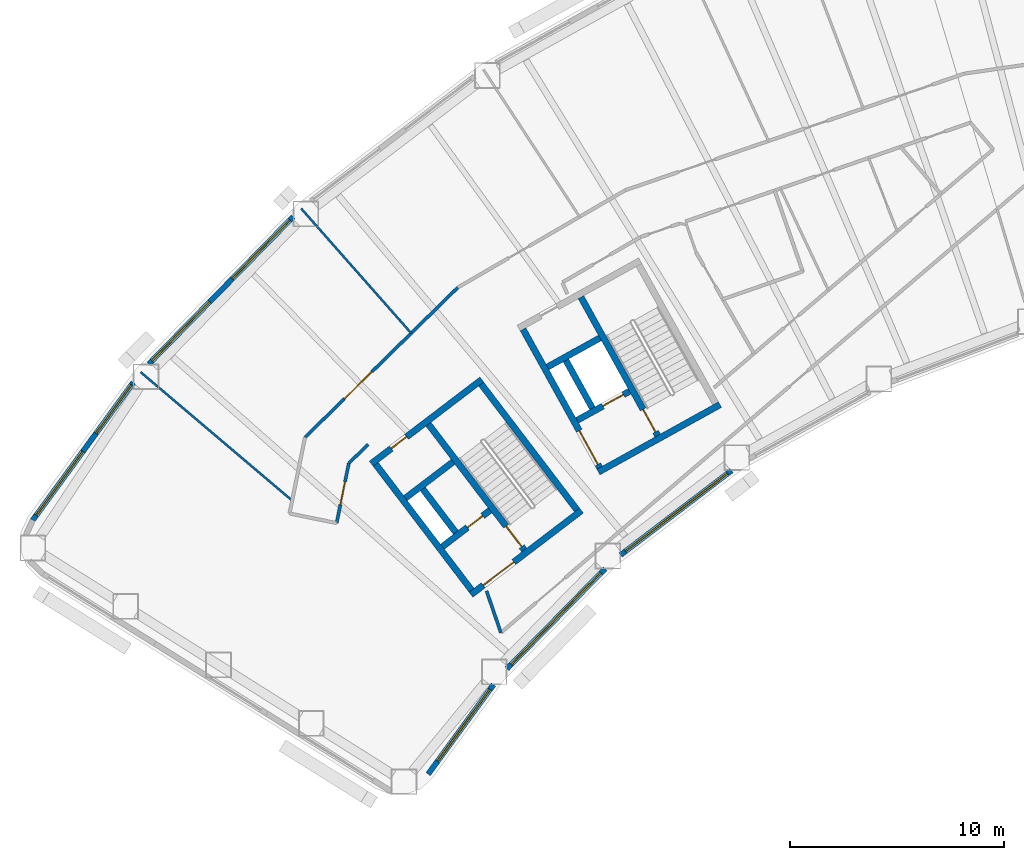
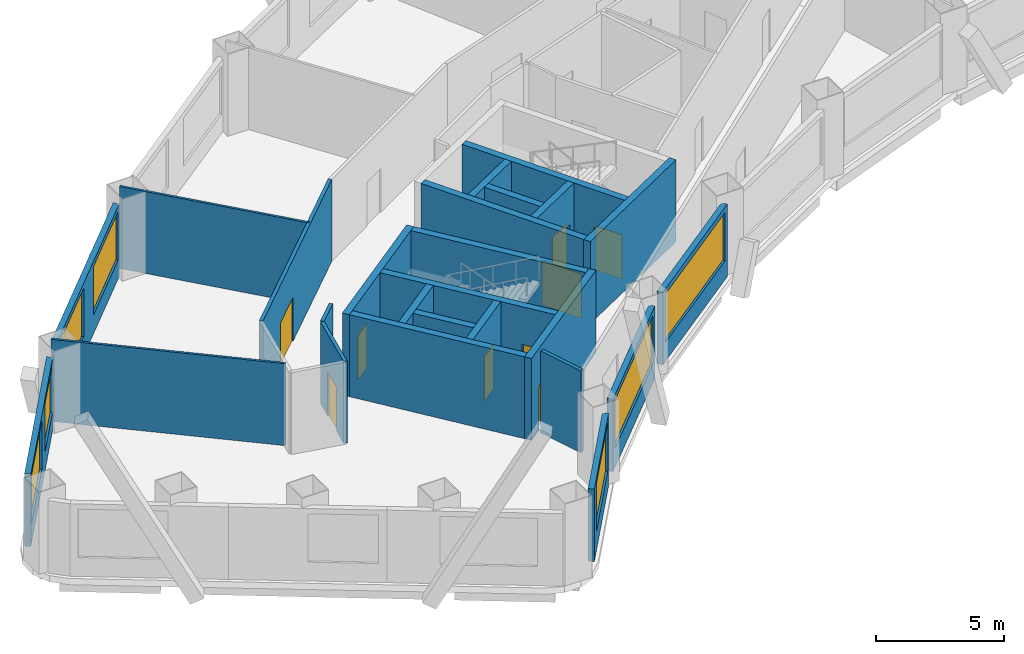
# One storey, part 3 of 12: 25 walls, 9 doors, 7 windows, 16 openings.
"""IFC4 building model written with IfcOpenShell, lengths in metres."""

from ifc_helpers import new_model, si_unit, direction, frame, frame_2d, origin, place, context, subcontext, project, spatial, rectangle, extrude, material, layer, layer_set, type_object, element, fill, save


model = new_model("IFC4")

# Units and contexts
model_context = context("Model", 3, precision=1e-05, world=origin(), true_north=direction((0.0, 1.0)))
body_context = subcontext(model_context, "Body", "Model", "MODEL_VIEW")
ifc_project = project(units=[si_unit("LENGTHUNIT", "METRE"), si_unit("AREAUNIT", "SQUARE_METRE"), si_unit("VOLUMEUNIT", "CUBIC_METRE"), si_unit("PLANEANGLEUNIT", "RADIAN"), si_unit("MASSUNIT", "GRAM", prefix="KILO")], contexts=[model_context])

# Site, building, storey
site_placement = place(None, origin())
site = spatial("IfcSite", under=ifc_project, at=site_placement, CompositionType="ELEMENT")
building_placement = place(site_placement, origin())
building = spatial("IfcBuilding", under=site, at=building_placement, Name="Tuul Gate Civic Tower", CompositionType="ELEMENT")
storey_placement = place(building_placement, frame((0.0, 0.0, 73.800048828125)))
storey = spatial("IfcBuildingStorey", under=building, at=storey_placement, Name="Level 16", CompositionType="ELEMENT", Elevation=73.800048828125)

# Wall, opening, door
ifc_material_1 = material(Name="Concrete C50/60", Category="concrete")
ifc_layer_1 = layer(ifc_material_1, 0.300048828125)
ifc_layer_set_1 = layer_set([ifc_layer_1], Name="Concrete C50/60")
wall_type_1 = type_object("IfcWallType", Name="Core wall C50/60", PredefinedType="SHEAR", material=ifc_layer_set_1)
wall_1_placement = place(storey_placement, frame((-31.19091796875, -13.669677734375, 0.0), z_axis=(0.0, 0.0, 1.0), x_axis=(-0.795606717756, -0.605813461934, 0.0)))
wall_1 = element("IfcWall", 1, at=wall_1_placement, inside=storey, type_object=wall_type_1, Name="Core wall", PredefinedType="SHEAR", context=body_context, shape_type="SweptSolid", body=[
    extrude(rectangle(XDim=6.5, YDim=0.300048828125, at=frame_2d((3.25, 0.0))), origin(), (0.0, 0.0, 1.0), 3.89990234375),
])
opening_1_placement = place(wall_1_placement, frame((3.97509765625, 0.0, 0.0)))
opening_1 = element("IfcOpeningElement", 2, at=opening_1_placement, cuts=wall_1, Name="Opening LB-W1-LOBBY-1", PredefinedType="OPENING", context=body_context, shape_type="SweptSolid", body=[
    extrude(rectangle(XDim=1.800048828125, YDim=2.10009765625, at=frame_2d((0.89990234375, 1.050048828125))), frame((0.0, 0.16015625, 0.0), z_axis=(0.0, -1.0, 0.0), x_axis=(1.0, 0.0, 0.0)), (0.0, 0.0, 1.0), 0.320068359375),
])
ifc_material_2 = material(Name="Steel", Category="steel")
door_type_1 = type_object("IfcDoorType", Name="Lobby door", OperationType="DOUBLE_DOOR_SINGLE_SWING", PredefinedType="DOOR", material=ifc_material_2)
door_1_placement = place(opening_1_placement, origin())
door_1 = element("IfcDoor", 3, at=door_1_placement, inside=storey, type_object=door_type_1, Name="Lobby door W1-LOBBY", OperationType="DOUBLE_DOOR_SINGLE_SWING", OverallHeight=2.10009765625, OverallWidth=1.800048828125, PredefinedType="DOOR", context=body_context, shape_type="SweptSolid", body=[
    extrude(rectangle(XDim=1.800048828125, YDim=2.10009765625, at=frame_2d((0.89990234375, 1.050048828125))), frame((0.0, 0.02490234375, 0.0), z_axis=(0.0, -1.0, 0.0), x_axis=(1.0, 0.0, 0.0)), (0.0, 0.0, 1.0), 0.050048828125),
])
fill(opening_1, door_1)

wall_2_placement = place(storey_placement, frame((-35.470947265625, -13.66064453125, 0.0), z_axis=(0.0, 0.0, 1.0), x_axis=(-0.795615822227, -0.605801504968, 0.0)))
wall_2 = element("IfcWall", 4, at=wall_2_placement, inside=storey, type_object=wall_type_1, Name="Core wall", PredefinedType="SHEAR", context=body_context, shape_type="SweptSolid", body=[
    extrude(rectangle(XDim=2.800048828125, YDim=0.300048828125, at=frame_2d((1.39990234375, 0.0))), origin(), (0.0, 0.0, 1.0), 3.89990234375),
])
opening_2_placement = place(wall_2_placement, frame((0.425048828125, 0.0, 0.0)))
opening_2 = element("IfcOpeningElement", 5, at=opening_2_placement, cuts=wall_2, Name="Opening FB-W1A1", PredefinedType="OPENING", context=body_context, shape_type="SweptSolid", body=[
    extrude(rectangle(XDim=0.89990234375, YDim=2.10009765625, at=frame_2d((0.449951171875, 1.050048828125))), frame((0.0, 0.16015625, 0.0), z_axis=(0.0, -1.0, 0.0), x_axis=(1.0, 0.0, 0.0)), (0.0, 0.0, 1.0), 0.320068359375),
])
ifc_material_3 = material(Name="Steel", Category="steel")
door_type_2 = type_object("IfcDoorType", Name="Store door", OperationType="NOTDEFINED", PredefinedType="DOOR", material=ifc_material_3)
door_2_placement = place(opening_2_placement, frame((0.89990234375, 0.0, 0.0), z_axis=(0.0, 0.0, 1.0), x_axis=(-1.0, 0.0, 0.0)))
door_2 = element("IfcDoor", 6, at=door_2_placement, inside=storey, type_object=door_type_2, Name="Store door W1A1", OperationType="SINGLE_SWING_RIGHT", OverallHeight=2.10009765625, OverallWidth=0.89990234375, PredefinedType="DOOR", context=body_context, shape_type="SweptSolid", body=[
    extrude(rectangle(XDim=0.89990234375, YDim=2.10009765625, at=frame_2d((0.449951171875, 1.050048828125))), frame((0.0, 0.02490234375, 0.0), z_axis=(0.0, -1.0, 0.0), x_axis=(1.0, 0.0, 0.0)), (0.0, 0.0, 1.0), 0.050048828125),
])
fill(opening_2, door_2)

# Wall
wall_3_placement = place(storey_placement, frame((-37.197509765625, -11.39306640625, 0.0), z_axis=(0.0, 0.0, 1.0), x_axis=(-0.795583820278, -0.605843531707, 0.0)))
element("IfcWall", 7, at=wall_3_placement, inside=storey, type_object=wall_type_1, Name="Core wall", PredefinedType="SHEAR", context=body_context, shape_type="SweptSolid", body=[
    extrude(rectangle(XDim=2.7998046875, YDim=0.300048828125, at=frame_2d((1.39990234375, 0.0))), origin(), (0.0, 0.0, 1.0), 3.89990234375),
])

# Wall, opening, door
wall_4_placement = place(storey_placement, frame((-35.855224609375, -7.543212890625, 0.0), z_axis=(0.0, 0.0, 1.0), x_axis=(-0.79563860527, -0.605771582202, 0.0)))
wall_4 = element("IfcWall", 8, at=wall_4_placement, inside=storey, type_object=wall_type_1, Name="Core wall", PredefinedType="SHEAR", context=body_context, shape_type="SweptSolid", body=[
    extrude(rectangle(XDim=6.5, YDim=0.300048828125, at=frame_2d((3.25, 0.0))), origin(), (0.0, 0.0, 1.0), 3.89990234375),
])
opening_3_placement = place(wall_4_placement, frame((4.425048828125, 0.0, 0.0)))
opening_3 = element("IfcOpeningElement", 9, at=opening_3_placement, cuts=wall_4, Name="Opening E-D36", PredefinedType="OPENING", context=body_context, shape_type="SweptSolid", body=[
    extrude(rectangle(XDim=0.89990234375, YDim=2.10009765625, at=frame_2d((0.449951171875, 1.050048828125))), frame((0.0, 0.16015625, 0.0), z_axis=(0.0, -1.0, 0.0), x_axis=(1.0, 0.0, 0.0)), (0.0, 0.0, 1.0), 0.320068359375),
])
ifc_material_4 = material(Name="Timber door leaf", Category="wood")
door_type_3 = type_object("IfcDoorType", Name="Door D09", OperationType="NOTDEFINED", PredefinedType="DOOR", material=ifc_material_4)
door_3_placement = place(opening_3_placement, origin())
door_3 = element("IfcDoor", 10, at=door_3_placement, inside=storey, type_object=door_type_3, Name="Door E-D36", OperationType="SINGLE_SWING_LEFT", OverallHeight=2.10009765625, OverallWidth=0.89990234375, PredefinedType="DOOR", context=body_context, shape_type="SweptSolid", body=[
    extrude(rectangle(XDim=0.89990234375, YDim=2.10009765625, at=frame_2d((0.449951171875, 1.050048828125))), frame((0.0, 0.02490234375, 0.0), z_axis=(0.0, -1.0, 0.0), x_axis=(1.0, 0.0, 0.0)), (0.0, 0.0, 1.0), 0.050048828125),
])
fill(opening_3, door_3)

# Wall
wall_5_placement = place(storey_placement, frame((-31.401123046875, -13.64111328125, 0.0), z_axis=(0.0, 0.0, 1.0), x_axis=(-0.605769822278, 0.795639945213, 0.0)))
element("IfcWall", 11, at=wall_5_placement, inside=storey, type_object=wall_type_1, Name="Core wall", PredefinedType="SHEAR", context=body_context, shape_type="SweptSolid", body=[
    extrude(rectangle(XDim=7.39990234375, YDim=0.300048828125, at=frame_2d((3.699951171875, 0.0))), origin(), (0.0, 0.0, 1.0), 3.89990234375),
])

# Wall, opening, door
wall_6_placement = place(storey_placement, frame((-33.867431640625, -15.51904296875, 0.0), z_axis=(0.0, 0.0, 1.0), x_axis=(-0.605769822278, 0.795639945213, 0.0)))
wall_6 = element("IfcWall", 12, at=wall_6_placement, inside=storey, type_object=wall_type_1, Name="Core wall", PredefinedType="SHEAR", context=body_context, shape_type="SweptSolid", body=[
    extrude(rectangle(XDim=7.39990234375, YDim=0.300048828125, at=frame_2d((3.699951171875, 0.0))), origin(), (0.0, 0.0, 1.0), 3.89990234375),
])
opening_4_placement = place(wall_6_placement, frame((0.199951171875, 0.0, 0.0)))
opening_4 = element("IfcOpeningElement", 13, at=opening_4_placement, cuts=wall_6, Name="Opening SD-ST-1", PredefinedType="OPENING", context=body_context, shape_type="SweptSolid", body=[
    extrude(rectangle(XDim=1.199951171875, YDim=2.10009765625, at=frame_2d((0.60009765625, 1.050048828125))), frame((0.0, 0.16015625, 0.0), z_axis=(0.0, -1.0, 0.0), x_axis=(1.0, 0.0, 0.0)), (0.0, 0.0, 1.0), 0.320068359375),
])
ifc_material_5 = material(Name="Steel", Category="steel")
door_type_4 = type_object("IfcDoorType", Name="Stair door", OperationType="NOTDEFINED", PredefinedType="DOOR", material=ifc_material_5)
door_4_placement = place(opening_4_placement, origin())
door_4 = element("IfcDoor", 14, at=door_4_placement, inside=storey, type_object=door_type_4, Name="Stair door ST-1", OperationType="SINGLE_SWING_LEFT", OverallHeight=2.10009765625, OverallWidth=1.199951171875, PredefinedType="DOOR", context=body_context, shape_type="SweptSolid", body=[
    extrude(rectangle(XDim=1.199951171875, YDim=2.10009765625, at=frame_2d((0.60009765625, 1.050048828125))), frame((0.0, 0.02490234375, 0.0), z_axis=(0.0, -1.0, 0.0), x_axis=(1.0, 0.0, 0.0)), (0.0, 0.0, 1.0), 0.050048828125),
])
fill(opening_4, door_4)

# Walls
wall_7_placement = place(storey_placement, frame((-37.073486328125, -14.6923828125, 0.0), z_axis=(0.0, 0.0, 1.0), x_axis=(-0.605728760074, 0.79567120673, 0.0)))
element("IfcWall", 15, at=wall_7_placement, inside=storey, type_object=wall_type_1, Name="Core wall", PredefinedType="SHEAR", context=body_context, shape_type="SweptSolid", body=[
    extrude(rectangle(XDim=2.550048828125, YDim=0.300048828125, at=frame_2d((1.27490234375, 0.0))), origin(), (0.0, 0.0, 1.0), 3.89990234375),
])
wall_8_placement = place(storey_placement, frame((-36.333984375, -17.397216796875, 0.0), z_axis=(0.0, 0.0, 1.0), x_axis=(-0.605753921168, 0.795652051458, 0.0)))
element("IfcWall", 16, at=wall_8_placement, inside=storey, type_object=wall_type_1, Name="Core wall", PredefinedType="SHEAR", context=body_context, shape_type="SweptSolid", body=[
    extrude(rectangle(XDim=7.400146484375, YDim=0.300048828125, at=frame_2d((3.7001953125, 0.0))), origin(), (0.0, 0.0, 1.0), 3.89990234375),
])
wall_9_placement = place(storey_placement, frame((-24.711669921875, -8.7158203125, 0.0), z_axis=(0.0, 0.0, 1.0), x_axis=(-0.874629909008, -0.484791215132, 0.0)))
element("IfcWall", 17, at=wall_9_placement, inside=storey, type_object=wall_type_1, Name="Core wall", PredefinedType="SHEAR", context=body_context, shape_type="SweptSolid", body=[
    extrude(rectangle(XDim=6.5, YDim=0.300048828125, at=frame_2d((3.25, 0.0))), origin(), (0.0, 0.0, 1.0), 3.89990234375),
])

# Wall, opening, door
wall_10_placement = place(storey_placement, frame((-28.94580078125, -8.090087890625, 0.0), z_axis=(0.0, 0.0, 1.0), x_axis=(-0.874629840737, -0.484791338301, 0.0)))
wall_10 = element("IfcWall", 18, at=wall_10_placement, inside=storey, type_object=wall_type_1, Name="Core wall", PredefinedType="SHEAR", context=body_context, shape_type="SweptSolid", body=[
    extrude(rectangle(XDim=2.800048828125, YDim=0.300048828125, at=frame_2d((1.39990234375, 0.0))), origin(), (0.0, 0.0, 1.0), 3.89990234375),
])
opening_5_placement = place(wall_10_placement, frame((0.324951171875, 0.0, 0.0)))
opening_5 = element("IfcOpeningElement", 19, at=opening_5_placement, cuts=wall_10, Name="Opening LD-FF-1", PredefinedType="OPENING", context=body_context, shape_type="SweptSolid", body=[
    extrude(rectangle(XDim=1.10009765625, YDim=2.10009765625, at=frame_2d((0.550048828125, 1.050048828125))), frame((0.0, 0.16015625, 0.0), z_axis=(0.0, -1.0, 0.0), x_axis=(1.0, 0.0, 0.0)), (0.0, 0.0, 1.0), 0.320068359375),
])
ifc_material_6 = material(Name="Stainless steel", Category="steel")
door_type_5 = type_object("IfcDoorType", Name="Landing door", OperationType="DOUBLE_DOOR_SLIDING", PredefinedType="DOOR", material=ifc_material_6)
door_5_placement = place(opening_5_placement, origin())
door_5 = element("IfcDoor", 20, at=door_5_placement, inside=storey, type_object=door_type_5, Name="Fire-fighting lift FF-1 landing door", OperationType="DOUBLE_DOOR_SLIDING", OverallHeight=2.10009765625, OverallWidth=1.10009765625, PredefinedType="DOOR", context=body_context, shape_type="SweptSolid", body=[
    extrude(rectangle(XDim=1.10009765625, YDim=2.10009765625, at=frame_2d((0.550048828125, 1.050048828125))), frame((0.0, 0.02490234375, 0.0), z_axis=(0.0, -1.0, 0.0), x_axis=(1.0, 0.0, 0.0)), (0.0, 0.0, 1.0), 0.050048828125),
])
fill(opening_5, door_5)

# Wall
wall_11_placement = place(storey_placement, frame((-30.327392578125, -5.59716796875, 0.0), z_axis=(0.0, 0.0, 1.0), x_axis=(-0.874629840737, -0.484791338301, 0.0)))
element("IfcWall", 21, at=wall_11_placement, inside=storey, type_object=wall_type_1, Name="Core wall", PredefinedType="SHEAR", context=body_context, shape_type="SweptSolid", body=[
    extrude(rectangle(XDim=2.800048828125, YDim=0.300048828125, at=frame_2d((1.39990234375, 0.0))), origin(), (0.0, 0.0, 1.0), 3.89990234375),
])

# Wall, opening, door
wall_12_placement = place(storey_placement, frame((-27.626953125, -10.16015625, 0.0), z_axis=(0.0, 0.0, 1.0), x_axis=(-0.484751894226, 0.874651702704, 0.0)))
wall_12 = element("IfcWall", 22, at=wall_12_placement, inside=storey, type_object=wall_type_1, Name="Core wall", PredefinedType="SHEAR", context=body_context, shape_type="SweptSolid", body=[
    extrude(rectangle(XDim=7.39990234375, YDim=0.300048828125, at=frame_2d((3.699951171875, 0.0))), origin(), (0.0, 0.0, 1.0), 3.89990234375),
])
opening_6_placement = place(wall_12_placement, frame((0.199951171875, 0.0, 0.0)))
opening_6 = element("IfcOpeningElement", 23, at=opening_6_placement, cuts=wall_12, Name="Opening SD-ST-2", PredefinedType="OPENING", context=body_context, shape_type="SweptSolid", body=[
    extrude(rectangle(XDim=1.199951171875, YDim=2.10009765625, at=frame_2d((0.60009765625, 1.050048828125))), frame((0.0, 0.16015625, 0.0), z_axis=(0.0, -1.0, 0.0), x_axis=(1.0, 0.0, 0.0)), (0.0, 0.0, 1.0), 0.320068359375),
])
door_6_placement = place(opening_6_placement, origin())
door_6 = element("IfcDoor", 24, at=door_6_placement, inside=storey, type_object=door_type_4, Name="Stair door ST-2", OperationType="SINGLE_SWING_LEFT", OverallHeight=2.10009765625, OverallWidth=1.199951171875, PredefinedType="DOOR", context=body_context, shape_type="SweptSolid", body=[
    extrude(rectangle(XDim=1.199951171875, YDim=2.10009765625, at=frame_2d((0.60009765625, 1.050048828125))), frame((0.0, 0.02490234375, 0.0), z_axis=(0.0, -1.0, 0.0), x_axis=(1.0, 0.0, 0.0)), (0.0, 0.0, 1.0), 0.050048828125),
])
fill(opening_6, door_6)

# Wall
wall_13_placement = place(storey_placement, frame((-30.680419921875, -8.8798828125, 0.0), z_axis=(0.0, 0.0, 1.0), x_axis=(-0.484724115216, 0.874667097888, 0.0)))
element("IfcWall", 25, at=wall_13_placement, inside=storey, type_object=wall_type_1, Name="Core wall", PredefinedType="SHEAR", context=body_context, shape_type="SweptSolid", body=[
    extrude(rectangle(XDim=2.550048828125, YDim=0.300048828125, at=frame_2d((1.27490234375, 0.0))), origin(), (0.0, 0.0, 1.0), 3.89990234375),
])

# Wall, opening, door
wall_14_placement = place(storey_placement, frame((-30.33837890625, -11.6630859375, 0.0), z_axis=(0.0, 0.0, 1.0), x_axis=(-0.484751894226, 0.874651702704, 0.0)))
wall_14 = element("IfcWall", 26, at=wall_14_placement, inside=storey, type_object=wall_type_1, Name="Core wall", PredefinedType="SHEAR", context=body_context, shape_type="SweptSolid", body=[
    extrude(rectangle(XDim=7.39990234375, YDim=0.300048828125, at=frame_2d((3.699951171875, 0.0))), origin(), (0.0, 0.0, 1.0), 3.89990234375),
])
opening_7_placement = place(wall_14_placement, frame((0.175048828125, 0.0, 0.0)))
opening_7 = element("IfcOpeningElement", 27, at=opening_7_placement, cuts=wall_14, Name="Opening LB-W2-FLOBBY-1", PredefinedType="OPENING", context=body_context, shape_type="SweptSolid", body=[
    extrude(rectangle(XDim=1.800048828125, YDim=2.10009765625, at=frame_2d((0.89990234375, 1.050048828125))), frame((0.0, 0.16015625, 0.0), z_axis=(0.0, -1.0, 0.0), x_axis=(1.0, 0.0, 0.0)), (0.0, 0.0, 1.0), 0.320068359375),
])
door_7_placement = place(opening_7_placement, origin())
door_7 = element("IfcDoor", 28, at=door_7_placement, inside=storey, type_object=door_type_1, Name="Lobby door W2-FLOBBY", OperationType="DOUBLE_DOOR_SINGLE_SWING", OverallHeight=2.10009765625, OverallWidth=1.800048828125, PredefinedType="DOOR", context=body_context, shape_type="SweptSolid", body=[
    extrude(rectangle(XDim=1.800048828125, YDim=2.10009765625, at=frame_2d((0.89990234375, 1.050048828125))), frame((0.0, 0.02490234375, 0.0), z_axis=(0.0, -1.0, 0.0), x_axis=(1.0, 0.0, 0.0)), (0.0, 0.0, 1.0), 0.050048828125),
])
fill(opening_7, door_7)

ifc_material_7 = material(Name="Gypsum board partition")
ifc_layer_2 = layer(ifc_material_7, 0.14990234375)
ifc_layer_set_2 = layer_set([ifc_layer_2], Name="Gypsum board partition")
wall_type_2 = type_object("IfcWallType", Name="Corridor wall P150", PredefinedType="PARTITIONING", material=ifc_layer_set_2)
wall_15_placement = place(storey_placement, frame((-44.1259765625, -10.24560546875, 0.0), z_axis=(0.0, 0.0, 1.0), x_axis=(0.713912699322, 0.700234716182, 0.0)))
wall_15 = element("IfcWall", 29, at=wall_15_placement, inside=storey, type_object=wall_type_2, Name="p041", PredefinedType="PARTITIONING", context=body_context, shape_type="SweptSolid", body=[
    extrude(rectangle(XDim=10.013427734375, YDim=0.14990234375, at=frame_2d((5.0068359375, 0.0))), origin(), (0.0, 0.0, 1.0), 3.89990234375),
])
opening_8_placement = place(wall_15_placement, frame((2.579833984375, 0.0, 0.0)))
opening_8 = element("IfcOpeningElement", 30, at=opening_8_placement, cuts=wall_15, Name="Opening E-D14", PredefinedType="OPENING", context=body_context, shape_type="SweptSolid", body=[
    extrude(rectangle(XDim=1.800048828125, YDim=2.10009765625, at=frame_2d((0.89990234375, 1.050048828125))), frame((0.0, 0.0849609375, 0.0), z_axis=(0.0, -1.0, 0.0), x_axis=(1.0, 0.0, 0.0)), (0.0, 0.0, 1.0), 0.169921875),
])
ifc_material_8 = material(Name="Timber door leaf, double", Category="wood")
door_type_6 = type_object("IfcDoorType", Name="Door D18", OperationType="DOUBLE_DOOR_SINGLE_SWING", PredefinedType="DOOR", material=ifc_material_8)
door_8_placement = place(opening_8_placement, origin())
door_8 = element("IfcDoor", 31, at=door_8_placement, inside=storey, type_object=door_type_6, Name="Door E-D14", OperationType="DOUBLE_DOOR_SINGLE_SWING", OverallHeight=2.10009765625, OverallWidth=1.800048828125, PredefinedType="DOOR", context=body_context, shape_type="SweptSolid", body=[
    extrude(rectangle(XDim=1.800048828125, YDim=2.10009765625, at=frame_2d((0.89990234375, 1.050048828125))), frame((0.0, 0.02490234375, 0.0), z_axis=(0.0, -1.0, 0.0), x_axis=(1.0, 0.0, 0.0)), (0.0, 0.0, 1.0), 0.050048828125),
])
fill(opening_8, door_8)

wall_16_placement = place(storey_placement, frame((-42.647216796875, -14.257080078125, 0.0), z_axis=(0.0, 0.0, 1.0), x_axis=(0.199748918876, 0.979847115324, 0.0)))
wall_16 = element("IfcWall", 32, at=wall_16_placement, inside=storey, type_object=wall_type_2, Name="p055", PredefinedType="PARTITIONING", context=body_context, shape_type="SweptSolid", body=[
    extrude(rectangle(XDim=2.855224609375, YDim=0.14990234375, at=frame_2d((1.427734375, 0.0))), origin(), (0.0, 0.0, 1.0), 3.89990234375),
])
opening_9_placement = place(wall_16_placement, frame((0.877685546875, 0.0, 0.0)))
opening_9 = element("IfcOpeningElement", 33, at=opening_9_placement, cuts=wall_16, Name="Opening E-D31", PredefinedType="OPENING", context=body_context, shape_type="SweptSolid", body=[
    extrude(rectangle(XDim=1.10009765625, YDim=2.10009765625, at=frame_2d((0.550048828125, 1.050048828125))), frame((0.0, 0.0849609375, 0.0), z_axis=(0.0, -1.0, 0.0), x_axis=(1.0, 0.0, 0.0)), (0.0, 0.0, 1.0), 0.169921875),
])
ifc_material_9 = material(Name="Timber door leaf", Category="wood")
door_type_7 = type_object("IfcDoorType", Name="Door D11", OperationType="NOTDEFINED", PredefinedType="DOOR", material=ifc_material_9)
door_9_placement = place(opening_9_placement, frame((1.10009765625, 0.0, 0.0), z_axis=(0.0, 0.0, 1.0), x_axis=(-1.0, 0.0, 0.0)))
door_9 = element("IfcDoor", 34, at=door_9_placement, inside=storey, type_object=door_type_7, Name="Door E-D31", OperationType="SINGLE_SWING_LEFT", OverallHeight=2.10009765625, OverallWidth=1.10009765625, PredefinedType="DOOR", context=body_context, shape_type="SweptSolid", body=[
    extrude(rectangle(XDim=1.10009765625, YDim=2.10009765625, at=frame_2d((0.550048828125, 1.050048828125))), frame((0.0, 0.02490234375, 0.0), z_axis=(0.0, -1.0, 0.0), x_axis=(1.0, 0.0, 0.0)), (0.0, 0.0, 1.0), 0.050048828125),
])
fill(opening_9, door_9)

# Walls
wall_17_placement = place(storey_placement, frame((-42.072509765625, -11.452880859375, 0.0), z_axis=(0.0, 0.0, 1.0), x_axis=(0.714924725221, 0.69920142825, 0.0)))
element("IfcWall", 35, at=wall_17_placement, inside=storey, type_object=wall_type_2, Name="p056", PredefinedType="PARTITIONING", context=body_context, shape_type="SweptSolid", body=[
    extrude(rectangle(XDim=1.2578125, YDim=0.14990234375, at=frame_2d((0.62890625, 0.0))), origin(), (0.0, 0.0, 1.0), 3.89990234375),
])
wall_18_placement = place(storey_placement, frame((-35.6328125, -17.428955078125, 0.0), z_axis=(0.0, 0.0, 1.0), x_axis=(0.324318294095, -0.945948013432, 0.0)))
element("IfcWall", 36, at=wall_18_placement, inside=storey, type_object=wall_type_2, Name="p057", PredefinedType="PARTITIONING", context=body_context, shape_type="SweptSolid", body=[
    extrude(rectangle(XDim=2.070068359375, YDim=0.14990234375, at=frame_2d((1.03515625, 0.0))), origin(), (0.0, 0.0, 1.0), 3.89990234375),
])

# Wall, openings, windows
ifc_material_10 = material(Name="Precast concrete C40/50", Category="concrete")
ifc_layer_3 = layer(ifc_material_10, 0.25)
ifc_layer_set_3 = layer_set([ifc_layer_3], Name="Precast concrete C40/50")
wall_type_3 = type_object("IfcWallType", Name="External wall", PredefinedType="STANDARD", material=ifc_layer_set_3)
wall_19_placement = place(storey_placement, frame((-44.68896484375, 0.068359375, 0.0), z_axis=(0.0, 0.0, 1.0), x_axis=(-0.700037194481, -0.714106383072, 0.0)))
wall_19 = element("IfcWall", 37, at=wall_19_placement, inside=storey, type_object=wall_type_3, Name="External wall", PredefinedType="STANDARD", context=body_context, shape_type="SweptSolid", body=[
    extrude(rectangle(XDim=9.630859375, YDim=0.25, at=frame_2d((4.8154296875, 0.0))), origin(), (0.0, 0.0, 1.0), 3.449951171875),
])
opening_10_placement = place(wall_19_placement, frame((0.203125, 0.0, 0.89990234375)))
opening_10 = element("IfcOpeningElement", 38, at=opening_10_placement, cuts=wall_19, Name="Opening W22", PredefinedType="OPENING", context=body_context, shape_type="SweptSolid", body=[
    extrude(rectangle(XDim=3.85009765625, YDim=2.300048828125, at=frame_2d((1.925048828125, 1.14990234375))), frame((0.0, 0.135009765625, 0.0), z_axis=(0.0, -1.0, 0.0), x_axis=(1.0, 0.0, 0.0)), (0.0, 0.0, 1.0), 0.27001953125),
])
opening_11_placement = place(wall_19_placement, frame((5.57421875, 0.0, 0.89990234375)))
opening_11 = element("IfcOpeningElement", 39, at=opening_11_placement, cuts=wall_19, Name="Opening W22", PredefinedType="OPENING", context=body_context, shape_type="SweptSolid", body=[
    extrude(rectangle(XDim=3.85009765625, YDim=2.300048828125, at=frame_2d((1.925048828125, 1.14990234375))), frame((0.0, 0.135009765625, 0.0), z_axis=(0.0, -1.0, 0.0), x_axis=(1.0, 0.0, 0.0)), (0.0, 0.0, 1.0), 0.27001953125),
])
ifc_material_11 = material(Name="Glass", Category="glass")
window_type_1 = type_object("IfcWindowType", Name="Window W22 3850 x 2300", PartitioningType="SINGLE_PANEL", PredefinedType="WINDOW", material=ifc_material_11)
window_1_placement = place(opening_10_placement, origin())
window_1 = element("IfcWindow", 40, at=window_1_placement, inside=storey, type_object=window_type_1, Name="Window", OverallHeight=2.300048828125, OverallWidth=3.85009765625, PartitioningType="SINGLE_PANEL", PredefinedType="WINDOW", context=body_context, shape_type="SweptSolid", body=[
    extrude(rectangle(XDim=3.85009765625, YDim=2.300048828125, at=frame_2d((1.925048828125, 1.14990234375))), frame((0.0, 0.030029296875, 0.0), z_axis=(0.0, -1.0, 0.0), x_axis=(1.0, 0.0, 0.0)), (0.0, 0.0, 1.0), 0.06005859375),
])
fill(opening_10, window_1)
window_2_placement = place(opening_11_placement, origin())
window_2 = element("IfcWindow", 41, at=window_2_placement, inside=storey, type_object=window_type_1, Name="Window", OverallHeight=2.300048828125, OverallWidth=3.85009765625, PartitioningType="SINGLE_PANEL", PredefinedType="WINDOW", context=body_context, shape_type="SweptSolid", body=[
    extrude(rectangle(XDim=3.85009765625, YDim=2.300048828125, at=frame_2d((1.925048828125, 1.14990234375))), frame((0.0, 0.030029296875, 0.0), z_axis=(0.0, -1.0, 0.0), x_axis=(1.0, 0.0, 0.0)), (0.0, 0.0, 1.0), 0.06005859375),
])
fill(opening_11, window_2)

wall_20_placement = place(storey_placement, frame((-52.1640625, -7.679443359375, 0.0), z_axis=(0.0, 0.0, 1.0), x_axis=(-0.589758648629, -0.807579554204, 0.0)))
wall_20 = element("IfcWall", 42, at=wall_20_placement, inside=storey, type_object=wall_type_3, Name="External wall", PredefinedType="STANDARD", context=body_context, shape_type="SweptSolid", body=[
    extrude(rectangle(XDim=7.998291015625, YDim=0.25, at=frame_2d((3.9990234375, 0.0))), origin(), (0.0, 0.0, 1.0), 3.449951171875),
])
opening_12_placement = place(wall_20_placement, frame((0.145751953125, 0.0, 0.89990234375)))
opening_12 = element("IfcOpeningElement", 43, at=opening_12_placement, cuts=wall_20, Name="Opening W23", PredefinedType="OPENING", context=body_context, shape_type="SweptSolid", body=[
    extrude(rectangle(XDim=2.800048828125, YDim=2.300048828125, at=frame_2d((1.39990234375, 1.14990234375))), frame((0.0, 0.135009765625, 0.0), z_axis=(0.0, -1.0, 0.0), x_axis=(1.0, 0.0, 0.0)), (0.0, 0.0, 1.0), 0.27001953125),
])
opening_13_placement = place(wall_20_placement, frame((3.997314453125, 0.0, 0.89990234375)))
opening_13 = element("IfcOpeningElement", 44, at=opening_13_placement, cuts=wall_20, Name="Opening W21", PredefinedType="OPENING", context=body_context, shape_type="SweptSolid", body=[
    extrude(rectangle(XDim=3.699951171875, YDim=2.300048828125, at=frame_2d((1.85009765625, 1.14990234375))), frame((0.0, 0.135009765625, 0.0), z_axis=(0.0, -1.0, 0.0), x_axis=(1.0, 0.0, 0.0)), (0.0, 0.0, 1.0), 0.27001953125),
])
ifc_material_12 = material(Name="Glass", Category="glass")
window_type_2 = type_object("IfcWindowType", Name="Window W21 3700 x 2300", PartitioningType="SINGLE_PANEL", PredefinedType="WINDOW", material=ifc_material_12)
window_3_placement = place(opening_13_placement, origin())
window_3 = element("IfcWindow", 45, at=window_3_placement, inside=storey, type_object=window_type_2, Name="Window", OverallHeight=2.300048828125, OverallWidth=3.699951171875, PartitioningType="SINGLE_PANEL", PredefinedType="WINDOW", context=body_context, shape_type="SweptSolid", body=[
    extrude(rectangle(XDim=3.699951171875, YDim=2.300048828125, at=frame_2d((1.85009765625, 1.14990234375))), frame((0.0, 0.030029296875, 0.0), z_axis=(0.0, -1.0, 0.0), x_axis=(1.0, 0.0, 0.0)), (0.0, 0.0, 1.0), 0.06005859375),
])
fill(opening_13, window_3)
ifc_material_13 = material(Name="Glass", Category="glass")
window_type_3 = type_object("IfcWindowType", Name="Window W23 2800 x 2300", PartitioningType="SINGLE_PANEL", PredefinedType="WINDOW", material=ifc_material_13)
window_4_placement = place(opening_12_placement, origin())
window_4 = element("IfcWindow", 46, at=window_4_placement, inside=storey, type_object=window_type_3, Name="Window", OverallHeight=2.300048828125, OverallWidth=2.800048828125, PartitioningType="SINGLE_PANEL", PredefinedType="WINDOW", context=body_context, shape_type="SweptSolid", body=[
    extrude(rectangle(XDim=2.800048828125, YDim=2.300048828125, at=frame_2d((1.39990234375, 1.14990234375))), frame((0.0, 0.030029296875, 0.0), z_axis=(0.0, -1.0, 0.0), x_axis=(1.0, 0.0, 0.0)), (0.0, 0.0, 1.0), 0.06005859375),
])
fill(opening_12, window_4)

# Wall, opening, window
wall_21_placement = place(storey_placement, frame((-38.364990234375, -26.002197265625, 0.0), z_axis=(0.0, 0.0, 1.0), x_axis=(0.589773184558, 0.807568938715, 0.0)))
wall_21 = element("IfcWall", 47, at=wall_21_placement, inside=storey, type_object=wall_type_3, Name="External wall", PredefinedType="STANDARD", context=body_context, shape_type="SweptSolid", body=[
    extrude(rectangle(XDim=5.18115234375, YDim=0.25, at=frame_2d((2.590576171875, 0.0))), origin(), (0.0, 0.0, 1.0), 3.449951171875),
])
opening_14_placement = place(wall_21_placement, frame((0.75244140625, 0.0, 0.89990234375)))
opening_14 = element("IfcOpeningElement", 48, at=opening_14_placement, cuts=wall_21, Name="Opening W25", PredefinedType="OPENING", context=body_context, shape_type="SweptSolid", body=[
    extrude(rectangle(XDim=4.14990234375, YDim=2.300048828125, at=frame_2d((2.074951171875, 1.14990234375))), frame((0.0, 0.135009765625, 0.0), z_axis=(0.0, -1.0, 0.0), x_axis=(1.0, 0.0, 0.0)), (0.0, 0.0, 1.0), 0.27001953125),
])
ifc_material_14 = material(Name="Glass", Category="glass")
window_type_4 = type_object("IfcWindowType", Name="Window W25 4150 x 2300", PartitioningType="SINGLE_PANEL", PredefinedType="WINDOW", material=ifc_material_14)
window_5_placement = place(opening_14_placement, origin())
window_5 = element("IfcWindow", 49, at=window_5_placement, inside=storey, type_object=window_type_4, Name="Window", OverallHeight=2.300048828125, OverallWidth=4.14990234375, PartitioningType="SINGLE_PANEL", PredefinedType="WINDOW", context=body_context, shape_type="SweptSolid", body=[
    extrude(rectangle(XDim=4.14990234375, YDim=2.300048828125, at=frame_2d((2.074951171875, 1.14990234375))), frame((0.0, 0.030029296875, 0.0), z_axis=(0.0, -1.0, 0.0), x_axis=(1.0, 0.0, 0.0)), (0.0, 0.0, 1.0), 0.06005859375),
])
fill(opening_14, window_5)

wall_22_placement = place(storey_placement, frame((-34.673095703125, -21.0693359375, 0.0), z_axis=(0.0, 0.0, 1.0), x_axis=(0.700096771337, 0.714047975114, 0.0)))
wall_22 = element("IfcWall", 50, at=wall_22_placement, inside=storey, type_object=wall_type_3, Name="External wall", PredefinedType="STANDARD", context=body_context, shape_type="SweptSolid", body=[
    extrude(rectangle(XDim=6.544921875, YDim=0.25, at=frame_2d((3.2724609375, 0.0))), origin(), (0.0, 0.0, 1.0), 3.449951171875),
])
opening_15_placement = place(wall_22_placement, frame((0.269775390625, 0.0, 0.89990234375)))
opening_15 = element("IfcOpeningElement", 51, at=opening_15_placement, cuts=wall_22, Name="Opening W26", PredefinedType="OPENING", context=body_context, shape_type="SweptSolid", body=[
    extrude(rectangle(XDim=6.0, YDim=2.300048828125, at=frame_2d((3.0, 1.14990234375))), frame((0.0, 0.135009765625, 0.0), z_axis=(0.0, -1.0, 0.0), x_axis=(1.0, 0.0, 0.0)), (0.0, 0.0, 1.0), 0.27001953125),
])
ifc_material_15 = material(Name="Glass", Category="glass")
window_type_5 = type_object("IfcWindowType", Name="Window W26 6000 x 2300", PartitioningType="SINGLE_PANEL", PredefinedType="WINDOW", material=ifc_material_15)
window_6_placement = place(opening_15_placement, origin())
window_6 = element("IfcWindow", 52, at=window_6_placement, inside=storey, type_object=window_type_5, Name="Window", OverallHeight=2.300048828125, OverallWidth=6.0, PartitioningType="SINGLE_PANEL", PredefinedType="WINDOW", context=body_context, shape_type="SweptSolid", body=[
    extrude(rectangle(XDim=6.0, YDim=2.300048828125, at=frame_2d((3.0, 1.14990234375))), frame((0.0, 0.030029296875, 0.0), z_axis=(0.0, -1.0, 0.0), x_axis=(1.0, 0.0, 0.0)), (0.0, 0.0, 1.0), 0.06005859375),
])
fill(opening_15, window_6)

wall_23_placement = place(storey_placement, frame((-29.35791015625, -15.747802734375, 0.0), z_axis=(0.0, 0.0, 1.0), x_axis=(0.7955846747, 0.605842409694, 0.0)))
wall_23 = element("IfcWall", 53, at=wall_23_placement, inside=storey, type_object=wall_type_3, Name="External wall", PredefinedType="STANDARD", context=body_context, shape_type="SweptSolid", body=[
    extrude(rectangle(XDim=6.52099609375, YDim=0.25, at=frame_2d((3.260498046875, 0.0))), origin(), (0.0, 0.0, 1.0), 3.449951171875),
])
opening_16_placement = place(wall_23_placement, frame((0.28857421875, 0.0, 0.89990234375)))
opening_16 = element("IfcOpeningElement", 54, at=opening_16_placement, cuts=wall_23, Name="Opening W26", PredefinedType="OPENING", context=body_context, shape_type="SweptSolid", body=[
    extrude(rectangle(XDim=6.0, YDim=2.300048828125, at=frame_2d((3.0, 1.14990234375))), frame((0.0, 0.135009765625, 0.0), z_axis=(0.0, -1.0, 0.0), x_axis=(1.0, 0.0, 0.0)), (0.0, 0.0, 1.0), 0.27001953125),
])
window_7_placement = place(opening_16_placement, origin())
window_7 = element("IfcWindow", 55, at=window_7_placement, inside=storey, type_object=window_type_5, Name="Window", OverallHeight=2.300048828125, OverallWidth=6.0, PartitioningType="SINGLE_PANEL", PredefinedType="WINDOW", context=body_context, shape_type="SweptSolid", body=[
    extrude(rectangle(XDim=6.0, YDim=2.300048828125, at=frame_2d((3.0, 1.14990234375))), frame((0.0, 0.030029296875, 0.0), z_axis=(0.0, -1.0, 0.0), x_axis=(1.0, 0.0, 0.0)), (0.0, 0.0, 1.0), 0.06005859375),
])
fill(opening_16, window_7)

# Walls
ifc_material_16 = material(Name="Gypsum board partition")
ifc_layer_4 = layer(ifc_material_16, 0.10009765625)
ifc_layer_set_4 = layer_set([ifc_layer_4], Name="Gypsum board partition")
wall_type_4 = type_object("IfcWallType", Name="Partition P100", PredefinedType="PARTITIONING", material=ifc_layer_set_4)
wall_24_placement = place(storey_placement, frame((-44.30810546875, 0.464111328125, 0.0), z_axis=(0.0, 0.0, 1.0), x_axis=(0.661682837076, -0.749783850933, 0.0)))
element("IfcWall", 56, at=wall_24_placement, inside=storey, type_object=wall_type_4, Name="p039", PredefinedType="PARTITIONING", context=body_context, shape_type="SweptSolid", body=[
    extrude(rectangle(XDim=7.7841796875, YDim=0.10009765625, at=frame_2d((3.89208984375, 0.0))), origin(), (0.0, 0.0, 1.0), 3.89990234375),
])
wall_25_placement = place(storey_placement, frame((-51.81640625, -7.19482421875, 0.0), z_axis=(0.0, 0.0, 1.0), x_axis=(0.762837824893, -0.646589864529, 0.0)))
element("IfcWall", 57, at=wall_25_placement, inside=storey, type_object=wall_type_4, Name="p042", PredefinedType="PARTITIONING", context=body_context, shape_type="SweptSolid", body=[
    extrude(rectangle(XDim=9.291259765625, YDim=0.10009765625, at=frame_2d((4.6455078125, 0.0))), origin(), (0.0, 0.0, 1.0), 3.89990234375),
])

save(model, "model.ifc")
